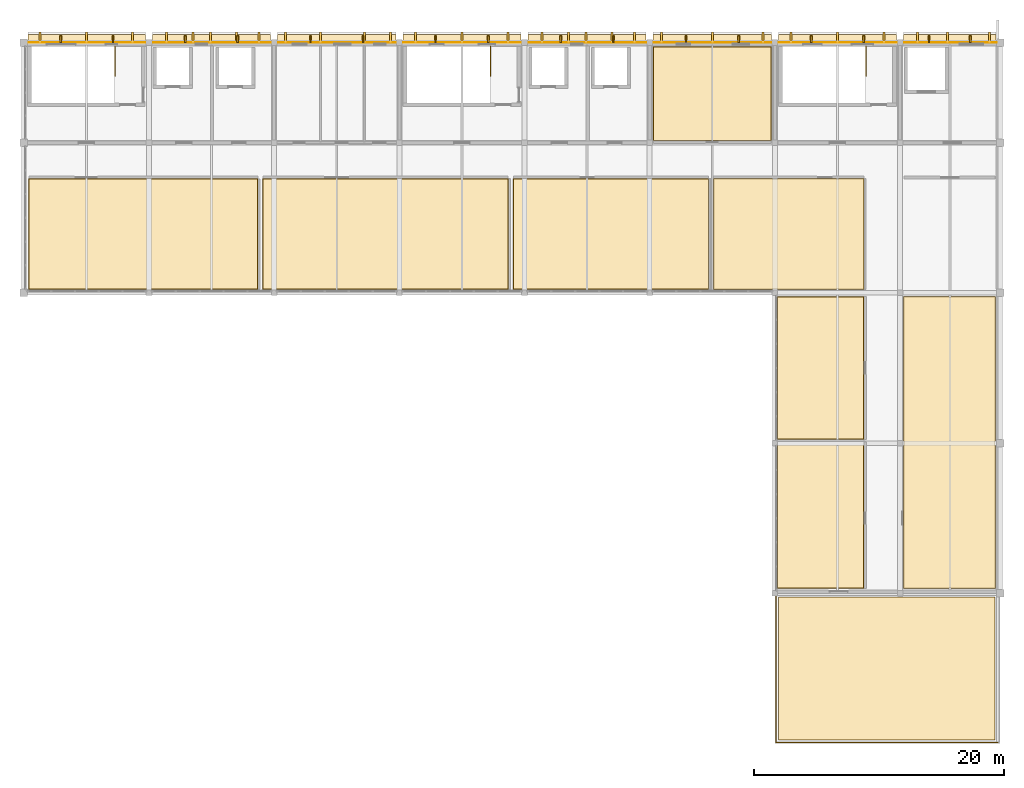
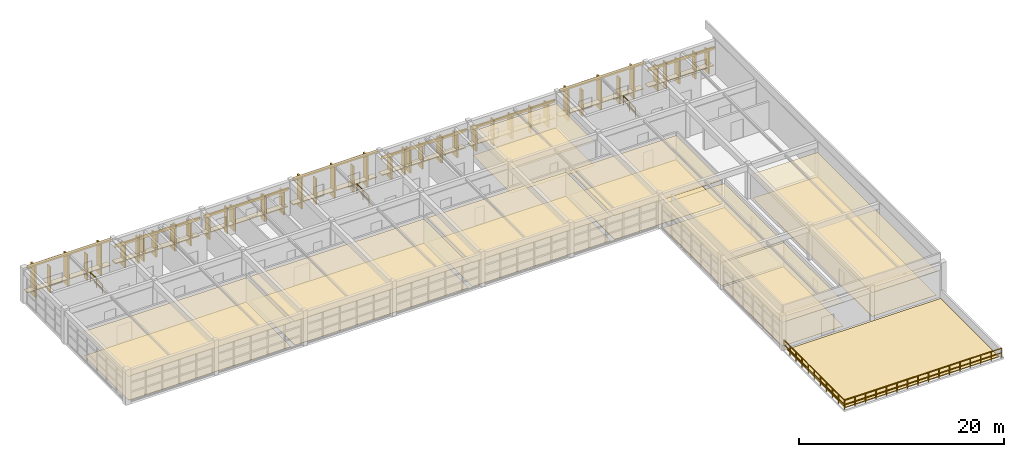
# One storey, part 16 of 16: 62 coverings, 16 shading devices, 5 railings.
"""IFC4 building model written with IfcOpenShell, lengths in metres."""

from ifc_helpers import new_model, si_unit, direction, frame, frame_2d, origin, origin_2d, place, context, subcontext, project, spatial, polyline, rectangle, circle, outline, extrude, material, layer, layer_set, type_object, element, save


model = new_model("IFC4")

# Units and contexts
model_context = context("Model", 3, precision=1e-05, world=origin(), true_north=direction((0.0, 1.0)))
body_context = subcontext(model_context, "Body", "Model", "MODEL_VIEW")
ifc_project = project(units=[si_unit("LENGTHUNIT", "METRE"), si_unit("AREAUNIT", "SQUARE_METRE"), si_unit("VOLUMEUNIT", "CUBIC_METRE"), si_unit("PLANEANGLEUNIT", "RADIAN"), si_unit("MASSUNIT", "GRAM", prefix="KILO")], contexts=[model_context])

# Site, building, storey
site_placement = place(None, origin())
site = spatial("IfcSite", under=ifc_project, at=site_placement, CompositionType="ELEMENT")
building_placement = place(site_placement, origin())
building = spatial("IfcBuilding", under=site, at=building_placement, Name="Kivolera Central Railway Station", CompositionType="ELEMENT")
storey_placement = place(building_placement, frame((0.0, 0.0, 27.0)))
storey = spatial("IfcBuildingStorey", under=building, at=storey_placement, Name="L06", CompositionType="ELEMENT", Elevation=27.0)

# Shading devices
ifc_material_1 = material(Name="Precast concrete C40/50", Category="concrete")
shading_device_type = type_object("IfcShadingDeviceType", Name="BS-FIN-UPP", PredefinedType="USERDEFINED", material=ifc_material_1)
for number, where, z_axis, x_axis, name in (
    (1, (120.950927734375, 134.26708984375, 0.0), (0.0, 0.0, 1.0), (1.0, 0.0, 0.0), "L06 North Brise-Soleil Fin 1.1"),
    (2, (125.1240234375, 134.26708984375, 0.0), (0.0, 0.0, 1.0), (1.0, 0.0, 0.0), "L06 North Brise-Soleil Fin 1.2"),
    (3, (130.89697265625, 134.26708984375, 0.0), (0.0, 0.0, 1.0), (1.0, 0.0, 0.0), "L06 North Brise-Soleil Fin 2.1"),
    (4, (135.10302734375, 134.26708984375, 0.0), (0.0, 0.0, 1.0), (1.0, 0.0, 0.0), "L06 North Brise-Soleil Fin 2.2"),
    (5, (140.89697265625, 134.26708984375, 0.0), (0.0, 0.0, 1.0), (1.0, 0.0, 0.0), "L06 North Brise-Soleil Fin 3.1"),
    (6, (145.10302734375, 134.26708984375, 0.0), (0.0, 0.0, 1.0), (1.0, 0.0, 0.0), "L06 North Brise-Soleil Fin 3.2"),
    (7, (150.89697265625, 134.26708984375, 0.0), (0.0, 0.0, 1.0), (1.0, 0.0, 0.0), "L06 North Brise-Soleil Fin 4.1"),
    (8, (155.10302734375, 134.26708984375, 0.0), (0.0, 0.0, 1.0), (1.0, 0.0, 0.0), "L06 North Brise-Soleil Fin 4.2"),
    (9, (160.89697265625, 134.26708984375, 0.0), (0.0, 0.0, 1.0), (1.0, 0.0, 0.0), "L06 North Brise-Soleil Fin 5.1"),
    (10, (165.10302734375, 134.26708984375, 0.0), (0.0, 0.0, 1.0), (1.0, 0.0, 0.0), "L06 North Brise-Soleil Fin 5.2"),
    (11, (170.89697265625, 134.26708984375, 0.0), (0.0, 0.0, 1.0), (1.0, 0.0, 0.0), "L06 North Brise-Soleil Fin 6.1"),
    (12, (175.10302734375, 134.26708984375, 0.0), (0.0, 0.0, 1.0), (1.0, 0.0, 0.0), "L06 North Brise-Soleil Fin 6.2"),
    (13, (180.89697265625, 134.26708984375, 0.0), (0.0, 0.0, 1.0), (1.0, 0.0, 0.0), "L06 North Brise-Soleil Fin 7.1"),
    (14, (185.10302734375, 134.26708984375, 0.0), (0.0, 0.0, 1.0), (1.0, 0.0, 0.0), "L06 North Brise-Soleil Fin 7.2"),
    (15, (190.31591796875, 134.26708984375, 0.0), (0.0, 0.0, 1.0), (1.0, 0.0, 0.0), "L06 North Brise-Soleil Fin 8.1"),
    (16, (193.60888671875, 134.26708984375, 0.0), (0.0, 0.0, 1.0), (1.0, 0.0, 0.0), "L06 North Brise-Soleil Fin 8.2"),
):
    element("IfcShadingDevice", number, at=place(storey_placement, frame(where, z_axis=z_axis, x_axis=x_axis)), inside=storey, type_object=shading_device_type, Name=name, ObjectType="FIN", PredefinedType="USERDEFINED", context=body_context, shape_type="SweptSolid", body=[
        extrude(rectangle(XDim=0.139892578125, YDim=0.550048828125, at=origin_2d()), origin(), (0.0, 0.0, 1.0), 3.10009765625),
    ])

# Coverings
ifc_material_2 = material(Name="Mineral fibre acoustic tile")
ifc_layer_1 = layer(ifc_material_2, 0.02001953125, Name="Mineral fibre acoustic tile")
ifc_layer_set_1 = layer_set([ifc_layer_1], Name="Mineral fibre acoustic tile")
covering_type_1 = type_object("IfcCoveringType", Name="COV-CEIL-20", PredefinedType="CEILING", material=ifc_layer_set_1)
covering_1_placement = place(storey_placement, frame((0.0, 0.0, 2.85009765625)))
element("IfcCovering", 17, at=covering_1_placement, inside=storey, type_object=covering_type_1, Name="L06 Rail Safety Examination Classroom Acoustic Ceiling", PredefinedType="CEILING", context=body_context, shape_type="SweptSolid", body=[
    extrude(outline(polyline([(168.280029296875, 126.1298828125), (177.719970703125, 126.1298828125), (177.719970703125, 133.669921875), (168.280029296875, 133.669921875), (168.280029296875, 126.1298828125)])), origin(), (0.0, 0.0, 1.0), 0.02001953125),
])
covering_2_placement = place(storey_placement, frame((0.0, 0.0, 2.85009765625)))
element("IfcCovering", 18, at=covering_2_placement, inside=storey, type_object=covering_type_1, Name="L06 Network Timetable Planning Office Acoustic Ceiling", PredefinedType="CEILING", context=body_context, shape_type="SweptSolid", body=[
    extrude(outline(polyline([(157.080078125, 114.280029296875), (172.719970703125, 114.280029296875), (172.719970703125, 123.1201171875), (157.080078125, 123.1201171875), (157.080078125, 114.280029296875)])), origin(), (0.0, 0.0, 1.0), 0.02001953125),
])
covering_3_placement = place(storey_placement, frame((0.0, 0.0, 2.85009765625)))
element("IfcCovering", 19, at=covering_3_placement, inside=storey, type_object=covering_type_1, Name="L06 Traction Simulator Laboratory Acoustic Ceiling", PredefinedType="CEILING", context=body_context, shape_type="SweptSolid", body=[
    extrude(outline(polyline([(178.179931640625, 90.3798828125), (185.1201171875, 90.3798828125), (185.1201171875, 102.1201171875), (178.179931640625, 102.1201171875), (178.179931640625, 90.3798828125)])), origin(), (0.0, 0.0, 1.0), 0.02001953125),
])
ifc_material_3 = material(Name="Hardwood mvule timber", Category="wood")
ifc_layer_2 = layer(ifc_material_3, 0.02490234375, Name="Hardwood mvule timber")
ifc_layer_set_2 = layer_set([ifc_layer_2], Name="Hardwood mvule timber")
covering_type_2 = type_object("IfcCoveringType", Name="COV-CEIL-25", PredefinedType="CEILING", material=ifc_layer_set_2)
covering_4_placement = place(storey_placement, frame((0.0, 0.0, 2.85009765625)))
element("IfcCovering", 20, at=covering_4_placement, inside=storey, type_object=covering_type_2, Name="L06 Signal Training Classroom Acoustic Ceiling", PredefinedType="CEILING", context=body_context, shape_type="SweptSolid", body=[
    extrude(outline(polyline([(118.3798828125, 114.280029296875), (136.719970703125, 114.280029296875), (136.719970703125, 123.1201171875), (118.3798828125, 123.1201171875), (118.3798828125, 114.280029296875)])), origin(), (0.0, 0.0, 1.0), 0.02490234375),
])
covering_5_placement = place(storey_placement, frame((0.0, 0.0, 2.85009765625)))
element("IfcCovering", 21, at=covering_5_placement, inside=storey, type_object=covering_type_2, Name="L06 Railway Signalling Design Studio Acoustic Ceiling", PredefinedType="CEILING", context=body_context, shape_type="SweptSolid", body=[
    extrude(outline(polyline([(173.080078125, 114.280029296875), (185.1201171875, 114.280029296875), (185.1201171875, 123.1201171875), (173.080078125, 123.1201171875), (173.080078125, 114.280029296875)])), origin(), (0.0, 0.0, 1.0), 0.02490234375),
])
covering_6_placement = place(storey_placement, frame((0.0, 0.0, 2.85009765625)))
element("IfcCovering", 22, at=covering_6_placement, inside=storey, type_object=covering_type_2, Name="L06 ETCS Cab Signalling Laboratory Acoustic Ceiling", PredefinedType="CEILING", context=body_context, shape_type="SweptSolid", body=[
    extrude(outline(polyline([(178.179931640625, 102.280029296875), (185.1201171875, 102.280029296875), (185.1201171875, 113.719970703125), (178.179931640625, 113.719970703125), (178.179931640625, 102.280029296875)])), origin(), (0.0, 0.0, 1.0), 0.02490234375),
])
ifc_layer_3 = layer(ifc_material_2, 0.030029296875, Name="Mineral fibre acoustic tile")
ifc_layer_set_3 = layer_set([ifc_layer_3], Name="Mineral fibre acoustic tile")
covering_type_3 = type_object("IfcCoveringType", Name="COV-CEIL-30", PredefinedType="CEILING", material=ifc_layer_set_3)
covering_7_placement = place(storey_placement, frame((0.0, 0.0, 2.85009765625)))
element("IfcCovering", 23, at=covering_7_placement, inside=storey, type_object=covering_type_3, Name="L06 Locomotive Driver Simulator Studio Acoustic Ceiling", PredefinedType="CEILING", context=body_context, shape_type="SweptSolid", body=[
    extrude(outline(polyline([(137.080078125, 114.280029296875), (156.719970703125, 114.280029296875), (156.719970703125, 123.1201171875), (137.080078125, 123.1201171875), (137.080078125, 114.280029296875)])), origin(), (0.0, 0.0, 1.0), 0.02978515625),
])
covering_8_placement = place(storey_placement, frame((0.0, 0.0, 2.85009765625)))
element("IfcCovering", 24, at=covering_8_placement, inside=storey, type_object=covering_type_3, Name="L06 Training Instructors Faculty Lounge Acoustic Ceiling", PredefinedType="CEILING", context=body_context, shape_type="SweptSolid", body=[
    extrude(outline(polyline([(188.280029296875, 90.3798828125), (195.6201171875, 90.3798828125), (195.6201171875, 113.719970703125), (188.280029296875, 113.719970703125), (188.280029296875, 90.3798828125)])), origin(), (0.0, 0.0, 1.0), 0.02978515625),
])
ifc_layer_4 = layer(ifc_material_1, 0.090087890625, Name="Precast concrete C40/50")
ifc_layer_set_4 = layer_set([ifc_layer_4], Name="Precast concrete C40/50")
covering_type_4 = type_object("IfcCoveringType", Name="COV-CLAUSTRA-90", PredefinedType="CLADDING", material=ifc_layer_set_4)
covering_9_placement = place(storey_placement, frame((123.037109375, 134.31298828125, 0.85498046875), z_axis=(0.0, 0.0, 1.0), x_axis=(1.0, 0.0, 0.0)))
element("IfcCovering", 25, at=covering_9_placement, inside=storey, type_object=covering_type_4, Name="L06 North Precast Egg-Crate Sill Shelf 1", PredefinedType="CLADDING", context=body_context, shape_type="SweptSolid", body=[
    extrude(rectangle(XDim=9.364990234375, YDim=0.64990234375, at=origin_2d()), origin(), (0.0, 0.0, 1.0), 0.090087890625),
])
for number, where, z_axis, x_axis, name in (
    (26, (133.0, 134.31298828125, 0.85498046875), (0.0, 0.0, 1.0), (1.0, 0.0, 0.0), "L06 North Precast Egg-Crate Sill Shelf 2"),
    (27, (143.0, 134.31298828125, 0.85498046875), (0.0, 0.0, 1.0), (1.0, 0.0, 0.0), "L06 North Precast Egg-Crate Sill Shelf 3"),
    (28, (153.0, 134.31298828125, 0.85498046875), (0.0, 0.0, 1.0), (1.0, 0.0, 0.0), "L06 North Precast Egg-Crate Sill Shelf 4"),
    (29, (163.0, 134.31298828125, 0.85498046875), (0.0, 0.0, 1.0), (1.0, 0.0, 0.0), "L06 North Precast Egg-Crate Sill Shelf 5"),
    (30, (173.0, 134.31298828125, 0.85498046875), (0.0, 0.0, 1.0), (1.0, 0.0, 0.0), "L06 North Precast Egg-Crate Sill Shelf 6"),
    (31, (183.0, 134.31298828125, 0.85498046875), (0.0, 0.0, 1.0), (1.0, 0.0, 0.0), "L06 North Precast Egg-Crate Sill Shelf 7"),
):
    element("IfcCovering", number, at=place(storey_placement, frame(where, z_axis=z_axis, x_axis=x_axis)), inside=storey, type_object=covering_type_4, Name=name, PredefinedType="CLADDING", context=body_context, shape_type="SweptSolid", body=[
        extrude(rectangle(XDim=9.43994140625, YDim=0.64990234375, at=origin_2d()), origin(), (0.0, 0.0, 1.0), 0.090087890625),
    ])
covering_10_placement = place(storey_placement, frame((191.962890625, 134.31298828125, 0.85498046875), z_axis=(0.0, 0.0, 1.0), x_axis=(1.0, 0.0, 0.0)))
element("IfcCovering", 32, at=covering_10_placement, inside=storey, type_object=covering_type_4, Name="L06 North Precast Egg-Crate Sill Shelf 8", PredefinedType="CLADDING", context=body_context, shape_type="SweptSolid", body=[
    extrude(rectangle(XDim=7.364990234375, YDim=0.64990234375, at=origin_2d()), origin(), (0.0, 0.0, 1.0), 0.090087890625),
])
ifc_material_4 = material(Name="Swahili coral limestone", Category="masonry")
ifc_layer_5 = layer(ifc_material_4, 0.159912109375, Name="Swahili coral limestone")
ifc_layer_set_5 = layer_set([ifc_layer_5], Name="Swahili coral limestone")
covering_type_5 = type_object("IfcCoveringType", Name="COV-EGGFIN-160", PredefinedType="CLADDING", material=ifc_layer_set_5)
for number, where, z_axis, x_axis, name in (
    (33, (119.300048828125, 134.4130859375, 0.0400390625), (0.0, 0.0, 1.0), (1.0, 0.0, 0.0), "L06 North Afro-Modernist Coral-Stone Sun-Fin 1.1"),
    (34, (123.0, 134.4130859375, 0.0400390625), (0.0, 0.0, 1.0), (1.0, 0.0, 0.0), "L06 North Afro-Modernist Coral-Stone Sun-Fin 1.2"),
    (35, (126.699951171875, 134.4130859375, 0.0400390625), (0.0, 0.0, 1.0), (1.0, 0.0, 0.0), "L06 North Afro-Modernist Coral-Stone Sun-Fin 1.3"),
):
    element("IfcCovering", number, at=place(storey_placement, frame(where, z_axis=z_axis, x_axis=x_axis)), inside=storey, type_object=covering_type_5, Name=name, PredefinedType="CLADDING", context=body_context, shape_type="SweptSolid", body=[
        extrude(rectangle(XDim=0.159912109375, YDim=0.85009765625, at=origin_2d()), origin(), (0.0, 0.0, 1.0), 3.719970703125),
    ])
for number, where, z_axis, x_axis, name in (
    (36, (129.39990234375, 134.4130859375, 0.0400390625), (0.0, 0.0, 1.0), (1.0, 0.0, 0.0), "L06 North Afro-Modernist Coral-Stone Sun-Fin 2.1"),
    (37, (131.5, 134.4130859375, 0.0400390625), (0.0, 0.0, 1.0), (1.0, 0.0, 0.0), "L06 North Afro-Modernist Coral-Stone Sun-Fin 2.2"),
    (38, (132.89990234375, 134.4130859375, 0.0400390625), (0.0, 0.0, 1.0), (1.0, 0.0, 0.0), "L06 North Afro-Modernist Coral-Stone Sun-Fin 2.3"),
    (39, (135.0, 134.4130859375, 0.0400390625), (0.0, 0.0, 1.0), (1.0, 0.0, 0.0), "L06 North Afro-Modernist Coral-Stone Sun-Fin 2.4"),
    (40, (136.800048828125, 134.4130859375, 0.0400390625), (0.0, 0.0, 1.0), (1.0, 0.0, 0.0), "L06 North Afro-Modernist Coral-Stone Sun-Fin 2.5"),
    (41, (138.89990234375, 134.4130859375, 0.0400390625), (0.0, 0.0, 1.0), (1.0, 0.0, 0.0), "L06 North Afro-Modernist Coral-Stone Sun-Fin 3.1"),
    (42, (141.699951171875, 134.4130859375, 0.0400390625), (0.0, 0.0, 1.0), (1.0, 0.0, 0.0), "L06 North Afro-Modernist Coral-Stone Sun-Fin 3.2"),
    (43, (145.199951171875, 134.4130859375, 0.0400390625), (0.0, 0.0, 1.0), (1.0, 0.0, 0.0), "L06 North Afro-Modernist Coral-Stone Sun-Fin 3.3"),
    (44, (147.300048828125, 134.4130859375, 0.0400390625), (0.0, 0.0, 1.0), (1.0, 0.0, 0.0), "L06 North Afro-Modernist Coral-Stone Sun-Fin 3.4"),
):
    element("IfcCovering", number, at=place(storey_placement, frame(where, z_axis=z_axis, x_axis=x_axis)), inside=storey, type_object=covering_type_5, Name=name, PredefinedType="CLADDING", context=body_context, shape_type="SweptSolid", body=[
        extrude(rectangle(XDim=0.159912109375, YDim=0.85009765625, at=origin_2d()), origin(), (0.0, 0.0, 1.0), 2.738037109375),
    ])
for number, where, z_axis, x_axis, name in (
    (45, (149.300048828125, 134.4130859375, 0.0400390625), (0.0, 0.0, 1.0), (1.0, 0.0, 0.0), "L06 North Afro-Modernist Coral-Stone Sun-Fin 4.1"),
    (46, (153.0, 134.4130859375, 0.0400390625), (0.0, 0.0, 1.0), (1.0, 0.0, 0.0), "L06 North Afro-Modernist Coral-Stone Sun-Fin 4.2"),
    (47, (156.699951171875, 134.4130859375, 0.0400390625), (0.0, 0.0, 1.0), (1.0, 0.0, 0.0), "L06 North Afro-Modernist Coral-Stone Sun-Fin 4.3"),
):
    element("IfcCovering", number, at=place(storey_placement, frame(where, z_axis=z_axis, x_axis=x_axis)), inside=storey, type_object=covering_type_5, Name=name, PredefinedType="CLADDING", context=body_context, shape_type="SweptSolid", body=[
        extrude(rectangle(XDim=0.159912109375, YDim=0.85009765625, at=origin_2d()), origin(), (0.0, 0.0, 1.0), 3.719970703125),
    ])
for number, where, z_axis, x_axis, name in (
    (48, (159.39990234375, 134.4130859375, 0.0400390625), (0.0, 0.0, 1.0), (1.0, 0.0, 0.0), "L06 North Afro-Modernist Coral-Stone Sun-Fin 5.1"),
    (49, (161.5, 134.4130859375, 0.0400390625), (0.0, 0.0, 1.0), (1.0, 0.0, 0.0), "L06 North Afro-Modernist Coral-Stone Sun-Fin 5.2"),
    (50, (162.89990234375, 134.4130859375, 0.0400390625), (0.0, 0.0, 1.0), (1.0, 0.0, 0.0), "L06 North Afro-Modernist Coral-Stone Sun-Fin 5.3"),
    (51, (165.0, 134.4130859375, 0.0400390625), (0.0, 0.0, 1.0), (1.0, 0.0, 0.0), "L06 North Afro-Modernist Coral-Stone Sun-Fin 5.4"),
    (52, (166.800048828125, 134.4130859375, 0.0400390625), (0.0, 0.0, 1.0), (1.0, 0.0, 0.0), "L06 North Afro-Modernist Coral-Stone Sun-Fin 5.5"),
    (53, (168.949951171875, 134.4130859375, 0.0400390625), (0.0, 0.0, 1.0), (1.0, 0.0, 0.0), "L06 North Afro-Modernist Coral-Stone Sun-Fin 6.1"),
    (54, (173.0, 134.4130859375, 0.0400390625), (0.0, 0.0, 1.0), (1.0, 0.0, 0.0), "L06 North Afro-Modernist Coral-Stone Sun-Fin 6.2"),
    (55, (177.050048828125, 134.4130859375, 0.0400390625), (0.0, 0.0, 1.0), (1.0, 0.0, 0.0), "L06 North Afro-Modernist Coral-Stone Sun-Fin 6.3"),
):
    element("IfcCovering", number, at=place(storey_placement, frame(where, z_axis=z_axis, x_axis=x_axis)), inside=storey, type_object=covering_type_5, Name=name, PredefinedType="CLADDING", context=body_context, shape_type="SweptSolid", body=[
        extrude(rectangle(XDim=0.159912109375, YDim=0.85009765625, at=origin_2d()), origin(), (0.0, 0.0, 1.0), 2.738037109375),
    ])
for number, where, z_axis, x_axis, name in (
    (56, (179.300048828125, 134.4130859375, 0.0400390625), (0.0, 0.0, 1.0), (1.0, 0.0, 0.0), "L06 North Afro-Modernist Coral-Stone Sun-Fin 7.1"),
    (57, (183.0, 134.4130859375, 0.0400390625), (0.0, 0.0, 1.0), (1.0, 0.0, 0.0), "L06 North Afro-Modernist Coral-Stone Sun-Fin 7.2"),
    (58, (186.699951171875, 134.4130859375, 0.0400390625), (0.0, 0.0, 1.0), (1.0, 0.0, 0.0), "L06 North Afro-Modernist Coral-Stone Sun-Fin 7.3"),
):
    element("IfcCovering", number, at=place(storey_placement, frame(where, z_axis=z_axis, x_axis=x_axis)), inside=storey, type_object=covering_type_5, Name=name, PredefinedType="CLADDING", context=body_context, shape_type="SweptSolid", body=[
        extrude(rectangle(XDim=0.159912109375, YDim=0.85009765625, at=origin_2d()), origin(), (0.0, 0.0, 1.0), 3.719970703125),
    ])
for number, where, z_axis, x_axis, name in (
    (59, (189.39990234375, 134.4130859375, 0.0400390625), (0.0, 0.0, 1.0), (1.0, 0.0, 0.0), "L06 North Afro-Modernist Coral-Stone Sun-Fin 8.1"),
    (60, (191.800048828125, 134.4130859375, 0.0400390625), (0.0, 0.0, 1.0), (1.0, 0.0, 0.0), "L06 North Afro-Modernist Coral-Stone Sun-Fin 8.2"),
    (61, (195.14990234375, 134.4130859375, 0.0400390625), (0.0, 0.0, 1.0), (1.0, 0.0, 0.0), "L06 North Afro-Modernist Coral-Stone Sun-Fin 8.3"),
):
    element("IfcCovering", number, at=place(storey_placement, frame(where, z_axis=z_axis, x_axis=x_axis)), inside=storey, type_object=covering_type_5, Name=name, PredefinedType="CLADDING", context=body_context, shape_type="SweptSolid", body=[
        extrude(rectangle(XDim=0.159912109375, YDim=0.85009765625, at=origin_2d()), origin(), (0.0, 0.0, 1.0), 2.738037109375),
    ])
ifc_material_5 = material(Name="Terracotta clay tile", Category="masonry")
ifc_layer_6 = layer(ifc_material_5, 0.02197265625, Name="Terracotta clay tile")
ifc_layer_set_6 = layer_set([ifc_layer_6], Name="Terracotta clay tile")
covering_type_6 = type_object("IfcCoveringType", Name="COV-FLR-22", PredefinedType="FLOORING", material=ifc_layer_set_6)
covering_11_placement = place(storey_placement, origin())
element("IfcCovering", 62, at=covering_11_placement, inside=storey, type_object=covering_type_6, Name="L06 Rail Safety Examination Classroom Floor Finish", PredefinedType="FLOORING", context=body_context, shape_type="SweptSolid", body=[
    extrude(outline(polyline([(168.320068359375, 126.169921875), (177.679931640625, 126.169921875), (177.679931640625, 133.6298828125), (168.320068359375, 133.6298828125), (168.320068359375, 126.169921875)])), origin(), (0.0, 0.0, 1.0), 0.02197265625),
])
covering_12_placement = place(storey_placement, origin())
element("IfcCovering", 63, at=covering_12_placement, inside=storey, type_object=covering_type_6, Name="L06 Signal Training Classroom Floor Finish", PredefinedType="FLOORING", context=body_context, shape_type="SweptSolid", body=[
    extrude(outline(polyline([(118.419921875, 114.320068359375), (136.679931640625, 114.320068359375), (136.679931640625, 123.080078125), (118.419921875, 123.080078125), (118.419921875, 114.320068359375)])), origin(), (0.0, 0.0, 1.0), 0.02197265625),
])
covering_13_placement = place(storey_placement, origin())
element("IfcCovering", 64, at=covering_13_placement, inside=storey, type_object=covering_type_6, Name="L06 Locomotive Driver Simulator Studio Floor Finish", PredefinedType="FLOORING", context=body_context, shape_type="SweptSolid", body=[
    extrude(outline(polyline([(137.1201171875, 114.320068359375), (156.679931640625, 114.320068359375), (156.679931640625, 123.080078125), (137.1201171875, 123.080078125), (137.1201171875, 114.320068359375)])), origin(), (0.0, 0.0, 1.0), 0.02197265625),
])
covering_14_placement = place(storey_placement, origin())
element("IfcCovering", 65, at=covering_14_placement, inside=storey, type_object=covering_type_6, Name="L06 Network Timetable Planning Office Floor Finish", PredefinedType="FLOORING", context=body_context, shape_type="SweptSolid", body=[
    extrude(outline(polyline([(157.1201171875, 114.320068359375), (172.679931640625, 114.320068359375), (172.679931640625, 123.080078125), (157.1201171875, 123.080078125), (157.1201171875, 114.320068359375)])), origin(), (0.0, 0.0, 1.0), 0.02197265625),
])
covering_15_placement = place(storey_placement, origin())
element("IfcCovering", 66, at=covering_15_placement, inside=storey, type_object=covering_type_6, Name="L06 Railway Signalling Design Studio Floor Finish", PredefinedType="FLOORING", context=body_context, shape_type="SweptSolid", body=[
    extrude(outline(polyline([(173.1201171875, 114.320068359375), (185.080078125, 114.320068359375), (185.080078125, 123.080078125), (173.1201171875, 123.080078125), (173.1201171875, 114.320068359375)])), origin(), (0.0, 0.0, 1.0), 0.02197265625),
])
covering_16_placement = place(storey_placement, origin())
element("IfcCovering", 67, at=covering_16_placement, inside=storey, type_object=covering_type_6, Name="L06 Traction Simulator Laboratory Floor Finish", PredefinedType="FLOORING", context=body_context, shape_type="SweptSolid", body=[
    extrude(outline(polyline([(178.219970703125, 90.419921875), (185.080078125, 90.419921875), (185.080078125, 102.080078125), (178.219970703125, 102.080078125), (178.219970703125, 90.419921875)])), origin(), (0.0, 0.0, 1.0), 0.02197265625),
])
covering_17_placement = place(storey_placement, origin())
element("IfcCovering", 68, at=covering_17_placement, inside=storey, type_object=covering_type_6, Name="L06 ETCS Cab Signalling Laboratory Floor Finish", PredefinedType="FLOORING", context=body_context, shape_type="SweptSolid", body=[
    extrude(outline(polyline([(178.219970703125, 102.320068359375), (185.080078125, 102.320068359375), (185.080078125, 113.679931640625), (178.219970703125, 113.679931640625), (178.219970703125, 102.320068359375)])), origin(), (0.0, 0.0, 1.0), 0.02197265625),
])
covering_18_placement = place(storey_placement, origin())
element("IfcCovering", 69, at=covering_18_placement, inside=storey, type_object=covering_type_6, Name="L06 Training Instructors Faculty Lounge Floor Finish", PredefinedType="FLOORING", context=body_context, shape_type="SweptSolid", body=[
    extrude(outline(polyline([(188.320068359375, 90.419921875), (195.580078125, 90.419921875), (195.580078125, 113.679931640625), (188.320068359375, 113.679931640625), (188.320068359375, 90.419921875)])), origin(), (0.0, 0.0, 1.0), 0.02197265625),
])
ifc_layer_7 = layer(ifc_material_5, 0.06494140625, Name="Terracotta clay tile")
ifc_layer_set_7 = layer_set([ifc_layer_7], Name="Terracotta clay tile")
covering_type_7 = type_object("IfcCoveringType", Name="COV-ROOF-TERR-65", PredefinedType="ROOFING", material=ifc_layer_set_7)
covering_19_placement = place(storey_placement, origin())
element("IfcCovering", 70, at=covering_19_placement, inside=storey, type_object=covering_type_7, Name="L06 Monsoon Roof Surfacing COV-L06-TER", PredefinedType="ROOFING", context=body_context, shape_type="SweptSolid", body=[
    extrude(outline(polyline([(178.300048828125, 78.300048828125), (195.60009765625, 78.300048828125), (195.60009765625, 89.699951171875), (178.300048828125, 89.699951171875), (178.300048828125, 78.300048828125)])), origin(), (0.0, 0.0, 1.0), 0.06494140625),
])
ifc_layer_8 = layer(ifc_material_5, 0.044921875, Name="Terracotta clay tile")
ifc_layer_set_8 = layer_set([ifc_layer_8], Name="Terracotta clay tile")
covering_type_8 = type_object("IfcCoveringType", Name="COV-TERRACOTTA-45", PredefinedType="CLADDING", material=ifc_layer_set_8)
covering_20_placement = place(storey_placement, frame((118.294921875, 134.02001953125, 3.77001953125), z_axis=(0.0, 0.0, 1.0), x_axis=(1.0, 0.0, 0.0)))
element("IfcCovering", 71, at=covering_20_placement, inside=storey, type_object=covering_type_8, Name="L06 North Terracotta Spandrel 1", PredefinedType="CLADDING", context=body_context, shape_type="SweptSolid", body=[
    extrude(rectangle(XDim=9.485107421875, YDim=0.044921875, at=frame_2d((4.74267578125, 0.0))), origin(), (0.0, 0.0, 1.0), 0.39990234375),
])
for number, where, z_axis, x_axis, name in (
    (72, (128.219970703125, 134.02001953125, 2.7880859375), (0.0, 0.0, 1.0), (1.0, 0.0, 0.0), "L06 North Terracotta Spandrel 2"),
    (73, (138.219970703125, 134.02001953125, 2.7880859375), (0.0, 0.0, 1.0), (1.0, 0.0, 0.0), "L06 North Terracotta Spandrel 3"),
    (74, (148.219970703125, 134.02001953125, 3.77001953125), (0.0, 0.0, 1.0), (1.0, 0.0, 0.0), "L06 North Terracotta Spandrel 4"),
    (75, (158.219970703125, 134.02001953125, 2.7880859375), (0.0, 0.0, 1.0), (1.0, 0.0, 0.0), "L06 North Terracotta Spandrel 5"),
    (76, (168.219970703125, 134.02001953125, 2.7880859375), (0.0, 0.0, 1.0), (1.0, 0.0, 0.0), "L06 North Terracotta Spandrel 6"),
    (77, (178.219970703125, 134.02001953125, 3.77001953125), (0.0, 0.0, 1.0), (1.0, 0.0, 0.0), "L06 North Terracotta Spandrel 7"),
):
    element("IfcCovering", number, at=place(storey_placement, frame(where, z_axis=z_axis, x_axis=x_axis)), inside=storey, type_object=covering_type_8, Name=name, PredefinedType="CLADDING", context=body_context, shape_type="SweptSolid", body=[
        extrude(rectangle(XDim=9.56005859375, YDim=0.044921875, at=frame_2d((4.780029296875, 0.0))), origin(), (0.0, 0.0, 1.0), 0.39990234375),
    ])
covering_21_placement = place(storey_placement, frame((188.219970703125, 134.02001953125, 2.7880859375), z_axis=(0.0, 0.0, 1.0), x_axis=(1.0, 0.0, 0.0)))
element("IfcCovering", 78, at=covering_21_placement, inside=storey, type_object=covering_type_8, Name="L06 North Terracotta Spandrel 8", PredefinedType="CLADDING", context=body_context, shape_type="SweptSolid", body=[
    extrude(rectangle(XDim=7.485107421875, YDim=0.044921875, at=frame_2d((3.74267578125, 0.0))), origin(), (0.0, 0.0, 1.0), 0.39990234375),
])

# Railings
ifc_material_6 = material(Name="Anodised aluminium", Category="aluminium")
ifc_layer_9 = layer(ifc_material_6, 0.048095703125, Name="Anodised aluminium")
ifc_layer_set_9 = layer_set([ifc_layer_9], Name="Anodised aluminium")
railing_type_1 = type_object("IfcRailingType", Name="RL-EXT-GUARD-1130", PredefinedType="GUARDRAIL", material=ifc_layer_set_9)
railing_1_placement = place(storey_placement, frame((178.10009765625, 78.10009765625, 0.0)))
element("IfcRailing", 79, at=railing_1_placement, inside=storey, type_object=railing_type_1, Name="L06 Protective Edge Guardrail TER-E-W", PredefinedType="GUARDRAIL", context=body_context, shape_type="SweptSolid", body=[
    extrude(circle(Radius=0.02392578125, at=origin_2d()), frame((0.0, 0.0, 1.10595703125), z_axis=(0.0, 1.0, 0.0), x_axis=(-1.0, 0.0, 0.0)), (0.0, 0.0, 1.0), 11.7998046875),
    extrude(circle(Radius=0.02392578125, at=origin_2d()), frame((0.0, 0.0, 0.56494140625), z_axis=(0.0, 1.0, 0.0), x_axis=(-1.0, 0.0, 0.0)), (0.0, 0.0, 1.0), 11.7998046875),
    extrude(circle(Radius=0.02099609375, at=origin_2d()), origin(), (0.0, 0.0, 1.0), 1.081787109375),
    extrude(circle(Radius=0.02099609375, at=origin_2d()), frame((0.0, 1.179931640625, 0.0)), (0.0, 0.0, 1.0), 1.081787109375),
    extrude(circle(Radius=0.02099609375, at=origin_2d()), frame((0.0, 2.35986328125, 0.0)), (0.0, 0.0, 1.0), 1.081787109375),
    extrude(circle(Radius=0.02099609375, at=origin_2d()), frame((0.0, 3.5400390625, 0.0)), (0.0, 0.0, 1.0), 1.081787109375),
    extrude(circle(Radius=0.02099609375, at=origin_2d()), frame((0.0, 4.719970703125, 0.0)), (0.0, 0.0, 1.0), 1.081787109375),
    extrude(circle(Radius=0.02099609375, at=origin_2d()), frame((0.0, 5.89990234375, 0.0)), (0.0, 0.0, 1.0), 1.081787109375),
    extrude(circle(Radius=0.02099609375, at=origin_2d()), frame((0.0, 7.079833984375, 0.0)), (0.0, 0.0, 1.0), 1.081787109375),
    extrude(circle(Radius=0.02099609375, at=origin_2d()), frame((0.0, 8.259765625, 0.0)), (0.0, 0.0, 1.0), 1.081787109375),
    extrude(circle(Radius=0.02099609375, at=origin_2d()), frame((0.0, 9.43994140625, 0.0)), (0.0, 0.0, 1.0), 1.081787109375),
    extrude(circle(Radius=0.02099609375, at=origin_2d()), frame((0.0, 10.619873046875, 0.0)), (0.0, 0.0, 1.0), 1.081787109375),
    extrude(circle(Radius=0.02099609375, at=origin_2d()), frame((0.0, 11.7998046875, 0.0)), (0.0, 0.0, 1.0), 1.081787109375),
])
railing_2_placement = place(storey_placement, frame((178.10009765625, 78.10009765625, 0.0)))
element("IfcRailing", 80, at=railing_2_placement, inside=storey, type_object=railing_type_1, Name="L06 Protective Edge Guardrail TER-E-S", PredefinedType="GUARDRAIL", context=body_context, shape_type="SweptSolid", body=[
    extrude(circle(Radius=0.02392578125, at=origin_2d()), frame((0.0, 0.0, 1.10595703125), z_axis=(1.0, 0.0, 0.0), x_axis=(0.0, 1.0, 0.0)), (0.0, 0.0, 1.0), 17.699951171875),
    extrude(circle(Radius=0.02392578125, at=origin_2d()), frame((0.0, 0.0, 0.56494140625), z_axis=(1.0, 0.0, 0.0), x_axis=(0.0, 1.0, 0.0)), (0.0, 0.0, 1.0), 17.699951171875),
    extrude(circle(Radius=0.02099609375, at=origin_2d()), origin(), (0.0, 0.0, 1.0), 1.081787109375),
    extrude(circle(Radius=0.02099609375, at=origin_2d()), frame((1.179931640625, 0.0, 0.0)), (0.0, 0.0, 1.0), 1.081787109375),
    extrude(circle(Radius=0.02099609375, at=origin_2d()), frame((2.360107421875, 0.0, 0.0)), (0.0, 0.0, 1.0), 1.081787109375),
    extrude(circle(Radius=0.02099609375, at=origin_2d()), frame((3.5400390625, 0.0, 0.0)), (0.0, 0.0, 1.0), 1.081787109375),
    extrude(circle(Radius=0.02099609375, at=origin_2d()), frame((4.719970703125, 0.0, 0.0)), (0.0, 0.0, 1.0), 1.081787109375),
    extrude(circle(Radius=0.02099609375, at=origin_2d()), frame((5.89990234375, 0.0, 0.0)), (0.0, 0.0, 1.0), 1.081787109375),
    extrude(circle(Radius=0.02099609375, at=origin_2d()), frame((7.080078125, 0.0, 0.0)), (0.0, 0.0, 1.0), 1.081787109375),
    extrude(circle(Radius=0.02099609375, at=origin_2d()), frame((8.260009765625, 0.0, 0.0)), (0.0, 0.0, 1.0), 1.081787109375),
    extrude(circle(Radius=0.02099609375, at=origin_2d()), frame((9.43994140625, 0.0, 0.0)), (0.0, 0.0, 1.0), 1.081787109375),
    extrude(circle(Radius=0.02099609375, at=origin_2d()), frame((10.619873046875, 0.0, 0.0)), (0.0, 0.0, 1.0), 1.081787109375),
    extrude(circle(Radius=0.02099609375, at=origin_2d()), frame((11.800048828125, 0.0, 0.0)), (0.0, 0.0, 1.0), 1.081787109375),
    extrude(circle(Radius=0.02099609375, at=origin_2d()), frame((12.97998046875, 0.0, 0.0)), (0.0, 0.0, 1.0), 1.081787109375),
    extrude(circle(Radius=0.02099609375, at=origin_2d()), frame((14.159912109375, 0.0, 0.0)), (0.0, 0.0, 1.0), 1.081787109375),
    extrude(circle(Radius=0.02099609375, at=origin_2d()), frame((15.33984375, 0.0, 0.0)), (0.0, 0.0, 1.0), 1.081787109375),
    extrude(circle(Radius=0.02099609375, at=origin_2d()), frame((16.52001953125, 0.0, 0.0)), (0.0, 0.0, 1.0), 1.081787109375),
    extrude(circle(Radius=0.02099609375, at=origin_2d()), frame((17.699951171875, 0.0, 0.0)), (0.0, 0.0, 1.0), 1.081787109375),
])
ifc_layer_10 = layer(ifc_material_6, 0.048095703125, Name="Anodised aluminium")
ifc_layer_set_10 = layer_set([ifc_layer_10], Name="Anodised aluminium")
railing_type_2 = type_object("IfcRailingType", Name="RL-STAIR-GUARD", PredefinedType="GUARDRAIL", material=ifc_layer_set_10)
for number, where, name in (
    (81, (125.2900390625, 133.679931640625, 0.0), "L06 ST1 top well guard 1"),
    (82, (155.2900390625, 133.679931640625, 0.0), "L06 ST2 top well guard 1"),
    (83, (185.2900390625, 133.679931640625, 0.0), "L06 ST3 top well guard 1"),
):
    element("IfcRailing", number, at=place(storey_placement, frame(where)), inside=storey, type_object=railing_type_2, Name=name, PredefinedType="GUARDRAIL", context=body_context, shape_type="SweptSolid", body=[
        extrude(circle(Radius=0.02392578125, at=origin_2d()), frame((0.0, 0.0, 1.10595703125), z_axis=(0.0, -1.0, 0.0), x_axis=(1.0, 0.0, 0.0)), (0.0, 0.0, 1.0), 2.33984375),
        extrude(circle(Radius=0.02392578125, at=origin_2d()), frame((0.0, 0.0, 0.56494140625), z_axis=(0.0, -1.0, 0.0), x_axis=(1.0, 0.0, 0.0)), (0.0, 0.0, 1.0), 2.33984375),
        extrude(circle(Radius=0.02099609375, at=origin_2d()), origin(), (0.0, 0.0, 1.0), 1.081787109375),
        extrude(circle(Radius=0.02099609375, at=origin_2d()), frame((0.0, -1.169921875, 0.0)), (0.0, 0.0, 1.0), 1.081787109375),
        extrude(circle(Radius=0.02099609375, at=origin_2d()), frame((0.0, -2.33984375, 0.0)), (0.0, 0.0, 1.0), 1.081787109375),
    ])

save(model, "model.ifc")
